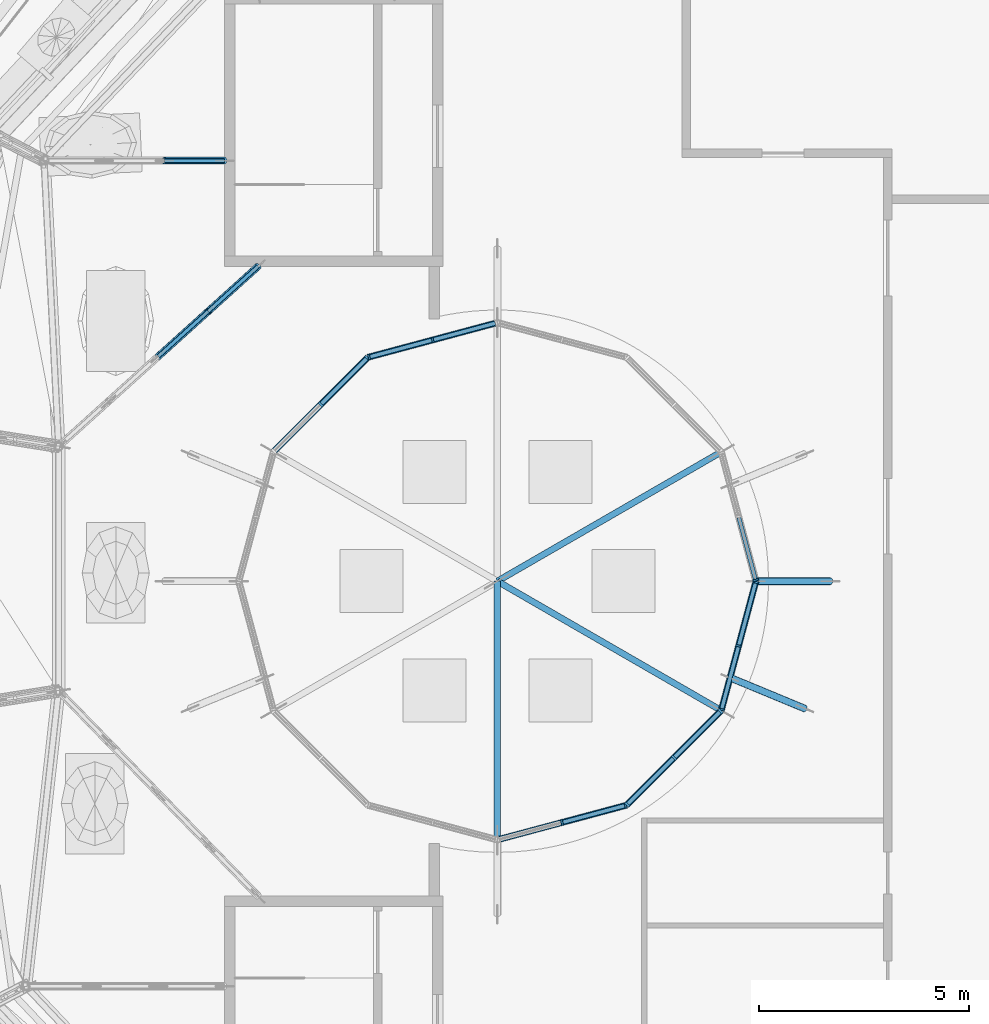
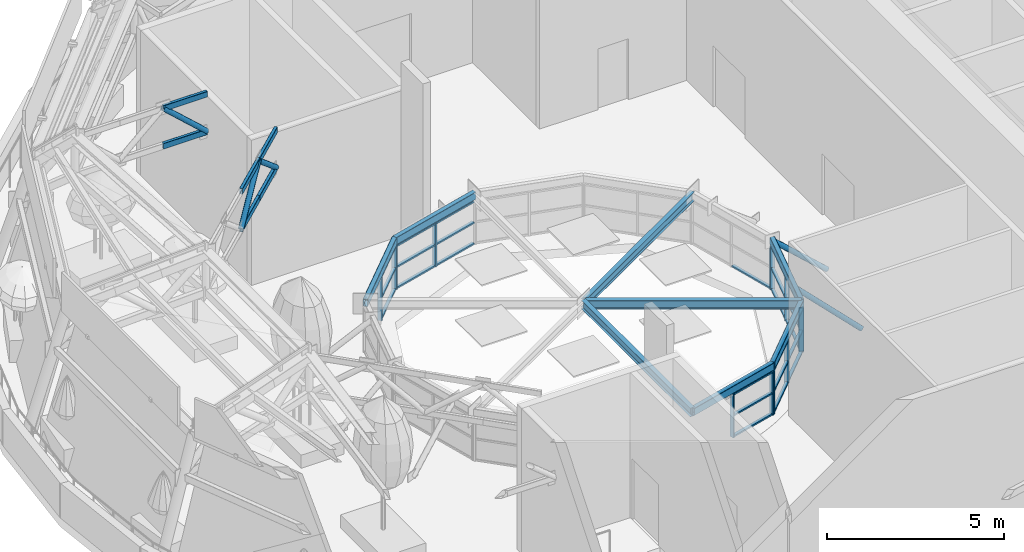
# One storey, part 8 of 40: 52 members, 5 beams, 6 elements without a shape of their own.
"""IFC4 building model written with IfcOpenShell, lengths in metres."""

from ifc_helpers import new_model, si_unit, direction, frame, origin, origin_2d, place, context, subcontext, project, spatial, rectangle, hollow_rectangle, hollow_circle, i_section, extrude, material, material_profile, profile_set, type_object, element, aggregate, save


model = new_model("IFC4")

# Units and contexts
model_context = context("Model", 3, precision=1e-05, world=origin(), true_north=direction((0.0, 1.0)))
body_context = subcontext(model_context, "Body", "Model", "MODEL_VIEW")
ifc_project = project(units=[si_unit("LENGTHUNIT", "METRE"), si_unit("AREAUNIT", "SQUARE_METRE"), si_unit("VOLUMEUNIT", "CUBIC_METRE"), si_unit("PLANEANGLEUNIT", "RADIAN"), si_unit("MASSUNIT", "GRAM", prefix="KILO")], contexts=[model_context])

# Site, building, storey
site_placement = place(None, origin())
site = spatial("IfcSite", under=ifc_project, at=site_placement, CompositionType="ELEMENT")
building_placement = place(site_placement, origin())
building = spatial("IfcBuilding", under=site, at=building_placement, Name="Taillehof Tower", CompositionType="ELEMENT")
storey_placement = place(building_placement, frame((0.0, 0.0, 275.199951171875)))
storey = spatial("IfcBuildingStorey", under=building, at=storey_placement, Name="L77", CompositionType="ELEMENT", Elevation=275.199951171875)

# Members
ifc_material_1 = material(Name="Steel S460M", Category="steel")
ifc_material_profile_1 = material_profile(ifc_material_1, hollow_rectangle(XDim=0.10009765625, YDim=0.199951171875, WallThickness=0.008056640625, InnerFilletRadius=0.008056640625, OuterFilletRadius=0.011962890625, at=origin_2d()), Name="RHS 200x100x8")
ifc_profile_set_1 = profile_set([ifc_material_profile_1], Name="Steel S460M")
member_type_1 = type_object("IfcMemberType", Name="Canopy spur chord RHS 200x100x8", PredefinedType="CHORD", material=ifc_profile_set_1)
for number, where, z_axis, x_axis, name in (
    (1, (-15.932861328125, 10.018310546875, 5.10009765625), (1.0, 0.0, 0.0), (0.0, 1.0, 0.0), "Canopy rafter S08 top chord 3"),
    (2, (-15.932861328125, 10.018310546875, 3.800048828125), (1.0, 0.0, 0.0), (0.0, 1.0, 0.0), "Canopy rafter S08 bottom chord 3"),
):
    element("IfcMember", number, at=place(storey_placement, frame(where, z_axis=z_axis, x_axis=x_axis)), inside=storey, type_object=member_type_1, Name=name, PredefinedType="CHORD", context=body_context, shape_type="SweptSolid", body=[
        extrude(hollow_rectangle(XDim=0.10009765625, YDim=0.199951171875, WallThickness=0.008056640625, InnerFilletRadius=0.008056640625, OuterFilletRadius=0.011962890625, at=origin_2d()), origin(), (0.0, 0.0, 1.0), 1.432861328125),
    ])
for number, where, z_axis, x_axis, name in (
    (3, (-16.07568359375, 5.3564453125, 5.10009765625), (0.742420885926, 0.669933749068, 0.0), (-0.669933749068, 0.742420885926, 0.0), "Canopy rafter S09 top chord 3"),
    (4, (-16.07568359375, 5.3564453125, 3.800048828125), (0.742420885926, 0.669933749068, 0.0), (-0.669933749068, 0.742420885926, 0.0), "Canopy rafter S09 bottom chord 3"),
):
    element("IfcMember", number, at=place(storey_placement, frame(where, z_axis=z_axis, x_axis=x_axis)), inside=storey, type_object=member_type_1, Name=name, PredefinedType="CHORD", context=body_context, shape_type="SweptSolid", body=[
        extrude(hollow_rectangle(XDim=0.10009765625, YDim=0.199951171875, WallThickness=0.008056640625, InnerFilletRadius=0.008056640625, OuterFilletRadius=0.011962890625, at=origin_2d()), origin(), (0.0, 0.0, 1.0), 1.599853515625),
    ])
for number, where, z_axis, x_axis, name in (
    (5, (-14.887939453125, 6.42822265625, 5.10009765625), (0.7424893649, 0.669857852839, 0.0), (-0.669857852839, 0.7424893649, 0.0), "Canopy rafter S09 top chord 4"),
    (6, (-14.887939453125, 6.42822265625, 3.800048828125), (0.7424893649, 0.669857852839, 0.0), (-0.669857852839, 0.7424893649, 0.0), "Canopy rafter S09 bottom chord 4"),
):
    element("IfcMember", number, at=place(storey_placement, frame(where, z_axis=z_axis, x_axis=x_axis)), inside=storey, type_object=member_type_1, Name=name, PredefinedType="CHORD", context=body_context, shape_type="SweptSolid", body=[
        extrude(hollow_rectangle(XDim=0.10009765625, YDim=0.199951171875, WallThickness=0.008056640625, InnerFilletRadius=0.008056640625, OuterFilletRadius=0.011962890625, at=origin_2d()), origin(), (0.0, 0.0, 1.0), 1.60009765625),
    ])
ifc_material_2 = material(Name="Steel S460M", Category="steel")
ifc_material_profile_2 = material_profile(ifc_material_2, hollow_circle(Radius=0.084228515625, WallThickness=0.008056640625, at=origin_2d()), Name="CHS 168.3x8")
ifc_profile_set_2 = profile_set([ifc_material_profile_2], Name="Steel S460M")
member_type_2 = type_object("IfcMemberType", Name="Canopy spur diagonal CHS 168.3x8", PredefinedType="BRACE", material=ifc_profile_set_2)
member_1_placement = place(storey_placement, frame((-15.932861328125, 10.018310546875, 5.10009765625), z_axis=(0.740596354346, 0.0, -0.671950176672), x_axis=(0.0, 1.0, 0.0)))
element("IfcMember", 7, at=member_1_placement, inside=storey, type_object=member_type_2, Name="Canopy rafter S08 diagonal 3", PredefinedType="BRACE", context=body_context, shape_type="SweptSolid", body=[
    extrude(hollow_circle(Radius=0.084228515625, WallThickness=0.008056640625, at=origin_2d()), origin(), (0.0, 0.0, 1.0), 1.934814453125),
])
for number, where, z_axis, x_axis, name in (
    (8, (-16.07568359375, 5.3564453125, 3.800048828125), (0.576169698547, 0.519914692009, 0.630648231195), (-0.669933749068, 0.742420885926, 0.0), "Canopy rafter S09 diagonal 3"),
    (9, (-14.887939453125, 6.42822265625, 5.10009765625), (0.576248806126, 0.519879214734, -0.630605197826), (-0.669857852839, 0.7424893649, 0.0), "Canopy rafter S09 diagonal 4"),
):
    element("IfcMember", number, at=place(storey_placement, frame(where, z_axis=z_axis, x_axis=x_axis)), inside=storey, type_object=member_type_2, Name=name, PredefinedType="BRACE", context=body_context, shape_type="SweptSolid", body=[
        extrude(hollow_circle(Radius=0.084228515625, WallThickness=0.008056640625, at=origin_2d()), origin(), (0.0, 0.0, 1.0), 2.0615234375),
    ])
ifc_material_3 = material(Name="Steel S460M", Category="steel")
ifc_material_profile_3 = material_profile(ifc_material_3, i_section(OverallWidth=0.14990234375, OverallDepth=0.300048828125, WebThickness=0.007080078125, FlangeThickness=0.0107421875, FilletRadius=0.014892578125, at=origin_2d()), Name="IPE 300")
ifc_profile_set_3 = profile_set([ifc_material_profile_3], Name="Steel S460M")
member_type_3 = type_object("IfcMemberType", Name="Lantern rib IPE 300", PredefinedType="BRACE", material=ifc_profile_set_3)
member_2_placement = place(storey_placement, frame((-2.665283203125, 3.080078125, 1.650146484375), z_axis=(-0.866019924591, -0.500009490121, 0.0), x_axis=(0.500009490121, -0.866019924591, 0.0)))
element("IfcMember", 10, at=member_2_placement, inside=storey, type_object=member_type_3, Name="Lantern rib LB01", PredefinedType="BRACE", context=body_context, shape_type="SweptSolid", body=[
    extrude(i_section(OverallWidth=0.14990234375, OverallDepth=0.300048828125, WebThickness=0.007080078125, FlangeThickness=0.0107421875, FilletRadius=0.014892578125, at=origin_2d()), origin(), (0.0, 0.0, 1.0), 6.16015625),
])
member_3_placement = place(storey_placement, frame((-8.0, -6.159912109375, 1.650146484375), z_axis=(0.0, 1.0, 0.0), x_axis=(-1.0, 0.0, 0.0)))
element("IfcMember", 11, at=member_3_placement, inside=storey, type_object=member_type_3, Name="Lantern rib LB05", PredefinedType="BRACE", context=body_context, shape_type="SweptSolid", body=[
    extrude(i_section(OverallWidth=0.14990234375, OverallDepth=0.300048828125, WebThickness=0.007080078125, FlangeThickness=0.0107421875, FilletRadius=0.014892578125, at=origin_2d()), origin(), (0.0, 0.0, 1.0), 6.159912109375),
])
member_4_placement = place(storey_placement, frame((-2.665283203125, -3.080078125, 1.650146484375), z_axis=(-0.866019924591, 0.500009490121, 0.0), x_axis=(-0.500009490121, -0.866019924591, 0.0)))
element("IfcMember", 12, at=member_4_placement, inside=storey, type_object=member_type_3, Name="Lantern rib LB06", PredefinedType="BRACE", context=body_context, shape_type="SweptSolid", body=[
    extrude(i_section(OverallWidth=0.14990234375, OverallDepth=0.300048828125, WebThickness=0.007080078125, FlangeThickness=0.0107421875, FilletRadius=0.014892578125, at=origin_2d()), origin(), (0.0, 0.0, 1.0), 6.16015625),
])

# Beams
ifc_material_4 = material(Name="Steel S460M", Category="steel")
ifc_material_profile_4 = material_profile(ifc_material_4, hollow_rectangle(XDim=0.14990234375, YDim=0.25, WallThickness=0.010009765625, InnerFilletRadius=0.010009765625, OuterFilletRadius=0.014892578125, at=origin_2d()), Name="RHS 250x150x10")
ifc_profile_set_4 = profile_set([ifc_material_profile_4], Name="Steel S460M")
beam_type = type_object("IfcBeamType", Name="Lantern ring beam RHS 250x150x10", PredefinedType="BEAM", material=ifc_profile_set_4)
beam_1_placement = place(storey_placement, frame((-8.0, 6.159912109375, 1.675048828125), z_axis=(-0.965934382039, -0.258787112499, 0.0), x_axis=(0.258787112499, -0.965934382039, 0.0)))
element("IfcBeam", 13, at=beam_1_placement, inside=storey, type_object=beam_type, Name="Lantern ring beam LR04", PredefinedType="BEAM", context=body_context, shape_type="SweptSolid", body=[
    extrude(hollow_rectangle(XDim=0.14990234375, YDim=0.25, WallThickness=0.010009765625, InnerFilletRadius=0.010009765625, OuterFilletRadius=0.014892578125, at=origin_2d()), origin(), (0.0, 0.0, 1.0), 3.188720703125),
])
beam_2_placement = place(storey_placement, frame((-11.080078125, 5.334716796875, 1.675048828125), z_axis=(-0.707106781187, -0.707106781187, 0.0), x_axis=(0.707106781187, -0.707106781187, 0.0)))
element("IfcBeam", 14, at=beam_2_placement, inside=storey, type_object=beam_type, Name="Lantern ring beam LR05", PredefinedType="BEAM", context=body_context, shape_type="SweptSolid", body=[
    extrude(hollow_rectangle(XDim=0.14990234375, YDim=0.25, WallThickness=0.010009765625, InnerFilletRadius=0.010009765625, OuterFilletRadius=0.014892578125, at=origin_2d()), origin(), (0.0, 0.0, 1.0), 3.1884765625),
])
beam_3_placement = place(storey_placement, frame((-8.0, -6.159912109375, 1.675048828125), z_axis=(0.965934382039, 0.258787112499, 0.0), x_axis=(-0.258787112499, 0.965934382039, 0.0)))
element("IfcBeam", 15, at=beam_3_placement, inside=storey, type_object=beam_type, Name="Lantern ring beam LR10", PredefinedType="BEAM", context=body_context, shape_type="SweptSolid", body=[
    extrude(hollow_rectangle(XDim=0.14990234375, YDim=0.25, WallThickness=0.010009765625, InnerFilletRadius=0.010009765625, OuterFilletRadius=0.014892578125, at=origin_2d()), origin(), (0.0, 0.0, 1.0), 3.188720703125),
])
beam_4_placement = place(storey_placement, frame((-4.919921875, -5.334716796875, 1.675048828125), z_axis=(0.707106781187, 0.707106781187, 0.0), x_axis=(-0.707106781187, 0.707106781187, 0.0)))
element("IfcBeam", 16, at=beam_4_placement, inside=storey, type_object=beam_type, Name="Lantern ring beam LR11", PredefinedType="BEAM", context=body_context, shape_type="SweptSolid", body=[
    extrude(hollow_rectangle(XDim=0.14990234375, YDim=0.25, WallThickness=0.010009765625, InnerFilletRadius=0.010009765625, OuterFilletRadius=0.014892578125, at=origin_2d()), origin(), (0.0, 0.0, 1.0), 3.1884765625),
])
beam_5_placement = place(storey_placement, frame((-2.665283203125, -3.080078125, 1.675048828125), z_axis=(0.258787112499, 0.965934382039, 0.0), x_axis=(-0.965934382039, 0.258787112499, 0.0)))
element("IfcBeam", 17, at=beam_5_placement, inside=storey, type_object=beam_type, Name="Lantern ring beam LR12", PredefinedType="BEAM", context=body_context, shape_type="SweptSolid", body=[
    extrude(hollow_rectangle(XDim=0.14990234375, YDim=0.25, WallThickness=0.010009765625, InnerFilletRadius=0.010009765625, OuterFilletRadius=0.014892578125, at=origin_2d()), origin(), (0.0, 0.0, 1.0), 3.188720703125),
])

# Members
ifc_material_5 = material(Name="Steel S460M", Category="steel")
ifc_material_profile_5 = material_profile(ifc_material_5, hollow_circle(Radius=0.084228515625, WallThickness=0.008056640625, at=origin_2d()), Name="CHS 168.3x8")
ifc_profile_set_5 = profile_set([ifc_material_profile_5], Name="Steel S460M")
member_type_4 = type_object("IfcMemberType", Name="Lantern strut CHS 168.3x8", PredefinedType="STRUT", material=ifc_profile_set_5)
member_5_placement = place(storey_placement, frame((-0.068359375, 0.0, 0.062255859375), z_axis=(-0.739497265291, 0.0, 0.673159561046), x_axis=(0.0, -1.0, 0.0)))
element("IfcMember", 18, at=member_5_placement, inside=storey, type_object=member_type_4, Name="Lantern strut LS01", PredefinedType="STRUT", context=body_context, shape_type="SweptSolid", body=[
    extrude(hollow_circle(Radius=0.084228515625, WallThickness=0.008056640625, at=origin_2d()), origin(), (0.0, 0.0, 1.0), 2.395751953125),
])
member_6_placement = place(storey_placement, frame((-0.68017578125, -3.031982421875, 0.064453125), z_axis=(-0.708027740233, 0.293299347212, 0.642395681793), x_axis=(-0.382710891507, -0.923868158084, 0.0)))
element("IfcMember", 19, at=member_6_placement, inside=storey, type_object=member_type_4, Name="Lantern strut LS08", PredefinedType="STRUT", context=body_context, shape_type="SweptSolid", body=[
    extrude(hollow_circle(Radius=0.084228515625, WallThickness=0.008056640625, at=origin_2d()), origin(), (0.0, 0.0, 1.0), 2.507080078125),
])

# Curtain wall, member
ifc_material_6 = material(Name="Aluminium curtain wall with Clear low-emissivity double glazing", Category="aluminium")
curtain_wall_type = type_object("IfcCurtainWallType", Name="Roof lantern curtain wall", PredefinedType="USERDEFINED", material=ifc_material_6)
curtain_wall_1_placement = place(storey_placement, origin())
curtain_wall_1 = element("IfcCurtainWall", 20, at=curtain_wall_1_placement, inside=storey, type_object=curtain_wall_type, Name="Roof lantern bay 1", ObjectType="WINDOW WALL", PredefinedType="USERDEFINED")
ifc_material_7 = material(Name="Aluminium mullion", Category="aluminium")
ifc_material_profile_6 = material_profile(ifc_material_7, rectangle(XDim=0.139892578125, YDim=0.050048828125, at=origin_2d()), Name="AL 50x140")
ifc_profile_set_6 = profile_set([ifc_material_profile_6], Name="Aluminium mullion")
member_type_5 = type_object("IfcMemberType", Name="Roof lantern mullion 50x140", PredefinedType="MULLION", material=ifc_profile_set_6)
member_7_placement = place(storey_placement, frame((-1.846435546875, 0.024169921875, 0.0), z_axis=(0.0, 0.0, 1.0), x_axis=(-0.965925826289, -0.258819045103, 0.0)))
member_7 = element("IfcMember", 21, at=member_7_placement, type_object=member_type_5, Name="CT701 mullion 1", PredefinedType="MULLION", context=body_context, shape_type="SweptSolid", body=[
    extrude(rectangle(XDim=0.139892578125, YDim=0.050048828125, at=origin_2d()), origin(), (0.0, 0.0, 1.0), 1.5),
])

# Curtain wall, members
curtain_wall_2_placement = place(storey_placement, origin())
curtain_wall_2 = element("IfcCurtainWall", 22, at=curtain_wall_2_placement, inside=storey, type_object=curtain_wall_type, Name="Roof lantern bay 4", ObjectType="WINDOW WALL", PredefinedType="USERDEFINED")
member_8_placement = place(storey_placement, frame((-9.5400390625, 5.747314453125, 0.0), z_axis=(0.0, 0.0, 1.0), x_axis=(0.258819045103, -0.965925826289, 0.0)))
member_8 = element("IfcMember", 23, at=member_8_placement, type_object=member_type_5, Name="CT704 mullion 2", PredefinedType="MULLION", context=body_context, shape_type="SweptSolid", body=[
    extrude(rectangle(XDim=0.139892578125, YDim=0.050048828125, at=origin_2d()), origin(), (0.0, 0.0, 1.0), 1.5),
])
member_9_placement = place(storey_placement, frame((-11.055908203125, 5.34130859375, 0.0), z_axis=(0.0, 0.0, 1.0), x_axis=(0.258819045103, -0.965925826289, 0.0)))
member_9 = element("IfcMember", 24, at=member_9_placement, type_object=member_type_5, Name="CT704 mullion 3", PredefinedType="MULLION", context=body_context, shape_type="SweptSolid", body=[
    extrude(rectangle(XDim=0.139892578125, YDim=0.050048828125, at=origin_2d()), origin(), (0.0, 0.0, 1.0), 1.5),
])

curtain_wall_3_placement = place(storey_placement, origin())
curtain_wall_3 = element("IfcCurtainWall", 25, at=curtain_wall_3_placement, inside=storey, type_object=curtain_wall_type, Name="Roof lantern bay 5", ObjectType="WINDOW WALL", PredefinedType="USERDEFINED")
member_10_placement = place(storey_placement, frame((-11.09765625, 5.317138671875, 0.0), z_axis=(0.0, 0.0, 1.0), x_axis=(0.707106781187, -0.707106781187, 0.0)))
member_10 = element("IfcMember", 26, at=member_10_placement, type_object=member_type_5, Name="CT705 mullion 1", PredefinedType="MULLION", context=body_context, shape_type="SweptSolid", body=[
    extrude(rectangle(XDim=0.139892578125, YDim=0.050048828125, at=origin_2d()), origin(), (0.0, 0.0, 1.0), 1.5),
])
member_11_placement = place(storey_placement, frame((-12.207275390625, 4.207275390625, 0.0), z_axis=(0.0, 0.0, 1.0), x_axis=(0.707106781187, -0.707106781187, 0.0)))
member_11 = element("IfcMember", 27, at=member_11_placement, type_object=member_type_5, Name="CT705 mullion 2", PredefinedType="MULLION", context=body_context, shape_type="SweptSolid", body=[
    extrude(rectangle(XDim=0.139892578125, YDim=0.050048828125, at=origin_2d()), origin(), (0.0, 0.0, 1.0), 1.5),
])

curtain_wall_4_placement = place(storey_placement, origin())
curtain_wall_4 = element("IfcCurtainWall", 28, at=curtain_wall_4_placement, inside=storey, type_object=curtain_wall_type, Name="Roof lantern bay 10", ObjectType="WINDOW WALL", PredefinedType="USERDEFINED")
member_12_placement = place(storey_placement, frame((-6.4599609375, -5.747314453125, 0.0), z_axis=(0.0, 0.0, 1.0), x_axis=(-0.258819045103, 0.965925826289, 0.0)))
member_12 = element("IfcMember", 29, at=member_12_placement, type_object=member_type_5, Name="CT710 mullion 2", PredefinedType="MULLION", context=body_context, shape_type="SweptSolid", body=[
    extrude(rectangle(XDim=0.139892578125, YDim=0.050048828125, at=origin_2d()), origin(), (0.0, 0.0, 1.0), 1.5),
])
member_13_placement = place(storey_placement, frame((-4.944091796875, -5.34130859375, 0.0), z_axis=(0.0, 0.0, 1.0), x_axis=(-0.258819045103, 0.965925826289, 0.0)))
member_13 = element("IfcMember", 30, at=member_13_placement, type_object=member_type_5, Name="CT710 mullion 3", PredefinedType="MULLION", context=body_context, shape_type="SweptSolid", body=[
    extrude(rectangle(XDim=0.139892578125, YDim=0.050048828125, at=origin_2d()), origin(), (0.0, 0.0, 1.0), 1.5),
])

curtain_wall_5_placement = place(storey_placement, origin())
curtain_wall_5 = element("IfcCurtainWall", 31, at=curtain_wall_5_placement, inside=storey, type_object=curtain_wall_type, Name="Roof lantern bay 11", ObjectType="WINDOW WALL", PredefinedType="USERDEFINED")
member_14_placement = place(storey_placement, frame((-4.90234375, -5.317138671875, 0.0), z_axis=(0.0, 0.0, 1.0), x_axis=(-0.707106781187, 0.707106781187, 0.0)))
member_14 = element("IfcMember", 32, at=member_14_placement, type_object=member_type_5, Name="CT711 mullion 1", PredefinedType="MULLION", context=body_context, shape_type="SweptSolid", body=[
    extrude(rectangle(XDim=0.139892578125, YDim=0.050048828125, at=origin_2d()), origin(), (0.0, 0.0, 1.0), 1.5),
])
member_15_placement = place(storey_placement, frame((-3.792724609375, -4.207275390625, 0.0), z_axis=(0.0, 0.0, 1.0), x_axis=(-0.707106781187, 0.707106781187, 0.0)))
member_15 = element("IfcMember", 33, at=member_15_placement, type_object=member_type_5, Name="CT711 mullion 2", PredefinedType="MULLION", context=body_context, shape_type="SweptSolid", body=[
    extrude(rectangle(XDim=0.139892578125, YDim=0.050048828125, at=origin_2d()), origin(), (0.0, 0.0, 1.0), 1.5),
])
member_16_placement = place(storey_placement, frame((-2.682861328125, -3.09765625, 0.0), z_axis=(0.0, 0.0, 1.0), x_axis=(-0.707106781187, 0.707106781187, 0.0)))
member_16 = element("IfcMember", 34, at=member_16_placement, type_object=member_type_5, Name="CT711 mullion 3", PredefinedType="MULLION", context=body_context, shape_type="SweptSolid", body=[
    extrude(rectangle(XDim=0.139892578125, YDim=0.050048828125, at=origin_2d()), origin(), (0.0, 0.0, 1.0), 1.5),
])

curtain_wall_6_placement = place(storey_placement, origin())
curtain_wall_6 = element("IfcCurtainWall", 35, at=curtain_wall_6_placement, inside=storey, type_object=curtain_wall_type, Name="Roof lantern bay 12", ObjectType="WINDOW WALL", PredefinedType="USERDEFINED")
member_17_placement = place(storey_placement, frame((-2.65869140625, -3.055908203125, 0.0), z_axis=(0.0, 0.0, 1.0), x_axis=(-0.965925826289, 0.258819045103, 0.0)))
member_17 = element("IfcMember", 36, at=member_17_placement, type_object=member_type_5, Name="CT712 mullion 1", PredefinedType="MULLION", context=body_context, shape_type="SweptSolid", body=[
    extrude(rectangle(XDim=0.139892578125, YDim=0.050048828125, at=origin_2d()), origin(), (0.0, 0.0, 1.0), 1.5),
])
member_18_placement = place(storey_placement, frame((-2.252685546875, -1.5400390625, 0.0), z_axis=(0.0, 0.0, 1.0), x_axis=(-0.965925826289, 0.258819045103, 0.0)))
member_18 = element("IfcMember", 37, at=member_18_placement, type_object=member_type_5, Name="CT712 mullion 2", PredefinedType="MULLION", context=body_context, shape_type="SweptSolid", body=[
    extrude(rectangle(XDim=0.139892578125, YDim=0.050048828125, at=origin_2d()), origin(), (0.0, 0.0, 1.0), 1.5),
])
member_19_placement = place(storey_placement, frame((-1.846435546875, -0.024169921875, 0.0), z_axis=(0.0, 0.0, 1.0), x_axis=(-0.965925826289, 0.258819045103, 0.0)))
member_19 = element("IfcMember", 38, at=member_19_placement, type_object=member_type_5, Name="CT712 mullion 3", PredefinedType="MULLION", context=body_context, shape_type="SweptSolid", body=[
    extrude(rectangle(XDim=0.139892578125, YDim=0.050048828125, at=origin_2d()), origin(), (0.0, 0.0, 1.0), 1.5),
])

# Member
ifc_material_8 = material(Name="Aluminium transom", Category="aluminium")
ifc_material_profile_7 = material_profile(ifc_material_8, rectangle(XDim=0.10009765625, YDim=0.050048828125, at=origin_2d()), Name="AL 100x50")
ifc_profile_set_7 = profile_set([ifc_material_profile_7], Name="Aluminium transom")
member_type_6 = type_object("IfcMemberType", Name="Roof lantern transom 100x50", PredefinedType="USERDEFINED", material=ifc_profile_set_7)
member_20_placement = place(storey_placement, frame((-1.85302734375, 0.04833984375, 0.025146484375), z_axis=(-0.25872269774, 0.965951637337, 0.0), x_axis=(-0.965951637337, -0.25872269774, 0.0)))
member_20 = element("IfcMember", 39, at=member_20_placement, type_object=member_type_6, Name="CT701 transom 1.1", ObjectType="TRANSOM", PredefinedType="USERDEFINED", context=body_context, shape_type="SweptSolid", body=[
    extrude(rectangle(XDim=0.10009765625, YDim=0.050048828125, at=origin_2d()), origin(), (0.0, 0.0, 1.0), 1.519287109375),
])

aggregate(curtain_wall_1, [member_7, member_20])

member_21_placement = place(storey_placement, frame((-8.04833984375, 6.14697265625, 0.025146484375), z_axis=(-0.965951637337, -0.25872269774, 0.0), x_axis=(0.25872269774, -0.965951637337, 0.0)))
member_21 = element("IfcMember", 40, at=member_21_placement, type_object=member_type_6, Name="CT704 transom 1.1", ObjectType="TRANSOM", PredefinedType="USERDEFINED", context=body_context, shape_type="SweptSolid", body=[
    extrude(rectangle(XDim=0.10009765625, YDim=0.050048828125, at=origin_2d()), origin(), (0.0, 0.0, 1.0), 1.519287109375),
])

member_22_placement = place(storey_placement, frame((-8.04833984375, 6.14697265625, 0.75), z_axis=(-0.965951637337, -0.25872269774, 0.0), x_axis=(0.25872269774, -0.965951637337, 0.0)))
member_22 = element("IfcMember", 41, at=member_22_placement, type_object=member_type_6, Name="CT704 transom 1.2", ObjectType="TRANSOM", PredefinedType="USERDEFINED", context=body_context, shape_type="SweptSolid", body=[
    extrude(rectangle(XDim=0.10009765625, YDim=0.050048828125, at=origin_2d()), origin(), (0.0, 0.0, 1.0), 1.519287109375),
])

member_23_placement = place(storey_placement, frame((-8.04833984375, 6.14697265625, 1.47509765625), z_axis=(-0.965951637337, -0.25872269774, 0.0), x_axis=(0.25872269774, -0.965951637337, 0.0)))
member_23 = element("IfcMember", 42, at=member_23_placement, type_object=member_type_6, Name="CT704 transom 1.3", ObjectType="TRANSOM", PredefinedType="USERDEFINED", context=body_context, shape_type="SweptSolid", body=[
    extrude(rectangle(XDim=0.10009765625, YDim=0.050048828125, at=origin_2d()), origin(), (0.0, 0.0, 1.0), 1.519287109375),
])

member_24_placement = place(storey_placement, frame((-9.564208984375, 5.740966796875, 0.025146484375), z_axis=(-0.965911466921, -0.258872629048, 0.0), x_axis=(0.258872629048, -0.965911466921, 0.0)))
member_24 = element("IfcMember", 43, at=member_24_placement, type_object=member_type_6, Name="CT704 transom 2.1", ObjectType="TRANSOM", PredefinedType="USERDEFINED", context=body_context, shape_type="SweptSolid", body=[
    extrude(rectangle(XDim=0.10009765625, YDim=0.050048828125, at=origin_2d()), origin(), (0.0, 0.0, 1.0), 1.519287109375),
])

member_25_placement = place(storey_placement, frame((-9.564208984375, 5.740966796875, 0.75), z_axis=(-0.965911466921, -0.258872629048, 0.0), x_axis=(0.258872629048, -0.965911466921, 0.0)))
member_25 = element("IfcMember", 44, at=member_25_placement, type_object=member_type_6, Name="CT704 transom 2.2", ObjectType="TRANSOM", PredefinedType="USERDEFINED", context=body_context, shape_type="SweptSolid", body=[
    extrude(rectangle(XDim=0.10009765625, YDim=0.050048828125, at=origin_2d()), origin(), (0.0, 0.0, 1.0), 1.519287109375),
])

member_26_placement = place(storey_placement, frame((-9.564208984375, 5.740966796875, 1.47509765625), z_axis=(-0.965911466921, -0.258872629048, 0.0), x_axis=(0.258872629048, -0.965911466921, 0.0)))
member_26 = element("IfcMember", 45, at=member_26_placement, type_object=member_type_6, Name="CT704 transom 2.3", ObjectType="TRANSOM", PredefinedType="USERDEFINED", context=body_context, shape_type="SweptSolid", body=[
    extrude(rectangle(XDim=0.10009765625, YDim=0.050048828125, at=origin_2d()), origin(), (0.0, 0.0, 1.0), 1.519287109375),
])

aggregate(curtain_wall_2, [member_8, member_9, member_21, member_22, member_23, member_24, member_25, member_26])

member_27_placement = place(storey_placement, frame((-11.115234375, 5.29931640625, 0.025146484375), z_axis=(-0.707187120535, -0.707026432709, 0.0), x_axis=(0.707026432709, -0.707187120535, 0.0)))
member_27 = element("IfcMember", 46, at=member_27_placement, type_object=member_type_6, Name="CT705 transom 1.1", ObjectType="TRANSOM", PredefinedType="USERDEFINED", context=body_context, shape_type="SweptSolid", body=[
    extrude(rectangle(XDim=0.10009765625, YDim=0.050048828125, at=origin_2d()), origin(), (0.0, 0.0, 1.0), 1.519287109375),
])

member_28_placement = place(storey_placement, frame((-11.115234375, 5.29931640625, 0.75), z_axis=(-0.707187120535, -0.707026432709, 0.0), x_axis=(0.707026432709, -0.707187120535, 0.0)))
member_28 = element("IfcMember", 47, at=member_28_placement, type_object=member_type_6, Name="CT705 transom 1.2", ObjectType="TRANSOM", PredefinedType="USERDEFINED", context=body_context, shape_type="SweptSolid", body=[
    extrude(rectangle(XDim=0.10009765625, YDim=0.050048828125, at=origin_2d()), origin(), (0.0, 0.0, 1.0), 1.519287109375),
])

member_29_placement = place(storey_placement, frame((-11.115234375, 5.29931640625, 1.47509765625), z_axis=(-0.707187120535, -0.707026432709, 0.0), x_axis=(0.707026432709, -0.707187120535, 0.0)))
member_29 = element("IfcMember", 48, at=member_29_placement, type_object=member_type_6, Name="CT705 transom 1.3", ObjectType="TRANSOM", PredefinedType="USERDEFINED", context=body_context, shape_type="SweptSolid", body=[
    extrude(rectangle(XDim=0.10009765625, YDim=0.050048828125, at=origin_2d()), origin(), (0.0, 0.0, 1.0), 1.519287109375),
])

aggregate(curtain_wall_3, [member_10, member_11, member_27, member_28, member_29])

member_30_placement = place(storey_placement, frame((-6.435791015625, -5.740966796875, 0.025146484375), z_axis=(0.965911466921, 0.258872629048, 0.0), x_axis=(-0.258872629048, 0.965911466921, 0.0)))
member_30 = element("IfcMember", 49, at=member_30_placement, type_object=member_type_6, Name="CT710 transom 2.1", ObjectType="TRANSOM", PredefinedType="USERDEFINED", context=body_context, shape_type="SweptSolid", body=[
    extrude(rectangle(XDim=0.10009765625, YDim=0.050048828125, at=origin_2d()), origin(), (0.0, 0.0, 1.0), 1.519287109375),
])

member_31_placement = place(storey_placement, frame((-6.435791015625, -5.740966796875, 0.75), z_axis=(0.965911466921, 0.258872629048, 0.0), x_axis=(-0.258872629048, 0.965911466921, 0.0)))
member_31 = element("IfcMember", 50, at=member_31_placement, type_object=member_type_6, Name="CT710 transom 2.2", ObjectType="TRANSOM", PredefinedType="USERDEFINED", context=body_context, shape_type="SweptSolid", body=[
    extrude(rectangle(XDim=0.10009765625, YDim=0.050048828125, at=origin_2d()), origin(), (0.0, 0.0, 1.0), 1.519287109375),
])

member_32_placement = place(storey_placement, frame((-6.435791015625, -5.740966796875, 1.47509765625), z_axis=(0.965911466921, 0.258872629048, 0.0), x_axis=(-0.258872629048, 0.965911466921, 0.0)))
member_32 = element("IfcMember", 51, at=member_32_placement, type_object=member_type_6, Name="CT710 transom 2.3", ObjectType="TRANSOM", PredefinedType="USERDEFINED", context=body_context, shape_type="SweptSolid", body=[
    extrude(rectangle(XDim=0.10009765625, YDim=0.050048828125, at=origin_2d()), origin(), (0.0, 0.0, 1.0), 1.519287109375),
])

aggregate(curtain_wall_4, [member_12, member_13, member_30, member_31, member_32])

member_33_placement = place(storey_placement, frame((-4.884765625, -5.29931640625, 0.025146484375), z_axis=(0.707187120535, 0.707026432709, 0.0), x_axis=(-0.707026432709, 0.707187120535, 0.0)))
member_33 = element("IfcMember", 52, at=member_33_placement, type_object=member_type_6, Name="CT711 transom 1.1", ObjectType="TRANSOM", PredefinedType="USERDEFINED", context=body_context, shape_type="SweptSolid", body=[
    extrude(rectangle(XDim=0.10009765625, YDim=0.050048828125, at=origin_2d()), origin(), (0.0, 0.0, 1.0), 1.519287109375),
])

member_34_placement = place(storey_placement, frame((-4.884765625, -5.29931640625, 0.75), z_axis=(0.707187120535, 0.707026432709, 0.0), x_axis=(-0.707026432709, 0.707187120535, 0.0)))
member_34 = element("IfcMember", 53, at=member_34_placement, type_object=member_type_6, Name="CT711 transom 1.2", ObjectType="TRANSOM", PredefinedType="USERDEFINED", context=body_context, shape_type="SweptSolid", body=[
    extrude(rectangle(XDim=0.10009765625, YDim=0.050048828125, at=origin_2d()), origin(), (0.0, 0.0, 1.0), 1.519287109375),
])

member_35_placement = place(storey_placement, frame((-4.884765625, -5.29931640625, 1.47509765625), z_axis=(0.707187120535, 0.707026432709, 0.0), x_axis=(-0.707026432709, 0.707187120535, 0.0)))
member_35 = element("IfcMember", 54, at=member_35_placement, type_object=member_type_6, Name="CT711 transom 1.3", ObjectType="TRANSOM", PredefinedType="USERDEFINED", context=body_context, shape_type="SweptSolid", body=[
    extrude(rectangle(XDim=0.10009765625, YDim=0.050048828125, at=origin_2d()), origin(), (0.0, 0.0, 1.0), 1.519287109375),
])

member_36_placement = place(storey_placement, frame((-3.77490234375, -4.189697265625, 0.025146484375), z_axis=(0.707026432709, 0.707187120535, 0.0), x_axis=(-0.707187120535, 0.707026432709, 0.0)))
member_36 = element("IfcMember", 55, at=member_36_placement, type_object=member_type_6, Name="CT711 transom 2.1", ObjectType="TRANSOM", PredefinedType="USERDEFINED", context=body_context, shape_type="SweptSolid", body=[
    extrude(rectangle(XDim=0.10009765625, YDim=0.050048828125, at=origin_2d()), origin(), (0.0, 0.0, 1.0), 1.519287109375),
])

member_37_placement = place(storey_placement, frame((-3.77490234375, -4.189697265625, 0.75), z_axis=(0.707026432709, 0.707187120535, 0.0), x_axis=(-0.707187120535, 0.707026432709, 0.0)))
member_37 = element("IfcMember", 56, at=member_37_placement, type_object=member_type_6, Name="CT711 transom 2.2", ObjectType="TRANSOM", PredefinedType="USERDEFINED", context=body_context, shape_type="SweptSolid", body=[
    extrude(rectangle(XDim=0.10009765625, YDim=0.050048828125, at=origin_2d()), origin(), (0.0, 0.0, 1.0), 1.519287109375),
])

member_38_placement = place(storey_placement, frame((-3.77490234375, -4.189697265625, 1.47509765625), z_axis=(0.707026432709, 0.707187120535, 0.0), x_axis=(-0.707187120535, 0.707026432709, 0.0)))
member_38 = element("IfcMember", 57, at=member_38_placement, type_object=member_type_6, Name="CT711 transom 2.3", ObjectType="TRANSOM", PredefinedType="USERDEFINED", context=body_context, shape_type="SweptSolid", body=[
    extrude(rectangle(XDim=0.10009765625, YDim=0.050048828125, at=origin_2d()), origin(), (0.0, 0.0, 1.0), 1.519287109375),
])

aggregate(curtain_wall_5, [member_14, member_15, member_16, member_33, member_34, member_35, member_36, member_37, member_38])

member_39_placement = place(storey_placement, frame((-2.65234375, -3.03173828125, 0.025146484375), z_axis=(0.258872629048, 0.965911466921, 0.0), x_axis=(-0.965911466921, 0.258872629048, 0.0)))
member_39 = element("IfcMember", 58, at=member_39_placement, type_object=member_type_6, Name="CT712 transom 1.1", ObjectType="TRANSOM", PredefinedType="USERDEFINED", context=body_context, shape_type="SweptSolid", body=[
    extrude(rectangle(XDim=0.10009765625, YDim=0.050048828125, at=origin_2d()), origin(), (0.0, 0.0, 1.0), 1.519287109375),
])

member_40_placement = place(storey_placement, frame((-2.65234375, -3.03173828125, 0.75), z_axis=(0.258872629048, 0.965911466921, 0.0), x_axis=(-0.965911466921, 0.258872629048, 0.0)))
member_40 = element("IfcMember", 59, at=member_40_placement, type_object=member_type_6, Name="CT712 transom 1.2", ObjectType="TRANSOM", PredefinedType="USERDEFINED", context=body_context, shape_type="SweptSolid", body=[
    extrude(rectangle(XDim=0.10009765625, YDim=0.050048828125, at=origin_2d()), origin(), (0.0, 0.0, 1.0), 1.519287109375),
])

member_41_placement = place(storey_placement, frame((-2.65234375, -3.03173828125, 1.47509765625), z_axis=(0.258872629048, 0.965911466921, 0.0), x_axis=(-0.965911466921, 0.258872629048, 0.0)))
member_41 = element("IfcMember", 60, at=member_41_placement, type_object=member_type_6, Name="CT712 transom 1.3", ObjectType="TRANSOM", PredefinedType="USERDEFINED", context=body_context, shape_type="SweptSolid", body=[
    extrude(rectangle(XDim=0.10009765625, YDim=0.050048828125, at=origin_2d()), origin(), (0.0, 0.0, 1.0), 1.519287109375),
])

member_42_placement = place(storey_placement, frame((-2.24609375, -1.515869140625, 0.025146484375), z_axis=(0.25872269774, 0.965951637337, 0.0), x_axis=(-0.965951637337, 0.25872269774, 0.0)))
member_42 = element("IfcMember", 61, at=member_42_placement, type_object=member_type_6, Name="CT712 transom 2.1", ObjectType="TRANSOM", PredefinedType="USERDEFINED", context=body_context, shape_type="SweptSolid", body=[
    extrude(rectangle(XDim=0.10009765625, YDim=0.050048828125, at=origin_2d()), origin(), (0.0, 0.0, 1.0), 1.519287109375),
])

member_43_placement = place(storey_placement, frame((-2.24609375, -1.515869140625, 0.75), z_axis=(0.25872269774, 0.965951637337, 0.0), x_axis=(-0.965951637337, 0.25872269774, 0.0)))
member_43 = element("IfcMember", 62, at=member_43_placement, type_object=member_type_6, Name="CT712 transom 2.2", ObjectType="TRANSOM", PredefinedType="USERDEFINED", context=body_context, shape_type="SweptSolid", body=[
    extrude(rectangle(XDim=0.10009765625, YDim=0.050048828125, at=origin_2d()), origin(), (0.0, 0.0, 1.0), 1.519287109375),
])

member_44_placement = place(storey_placement, frame((-2.24609375, -1.515869140625, 1.47509765625), z_axis=(0.25872269774, 0.965951637337, 0.0), x_axis=(-0.965951637337, 0.25872269774, 0.0)))
member_44 = element("IfcMember", 63, at=member_44_placement, type_object=member_type_6, Name="CT712 transom 2.3", ObjectType="TRANSOM", PredefinedType="USERDEFINED", context=body_context, shape_type="SweptSolid", body=[
    extrude(rectangle(XDim=0.10009765625, YDim=0.050048828125, at=origin_2d()), origin(), (0.0, 0.0, 1.0), 1.519287109375),
])

aggregate(curtain_wall_6, [member_17, member_18, member_19, member_39, member_40, member_41, member_42, member_43, member_44])

save(model, "model.ifc")
